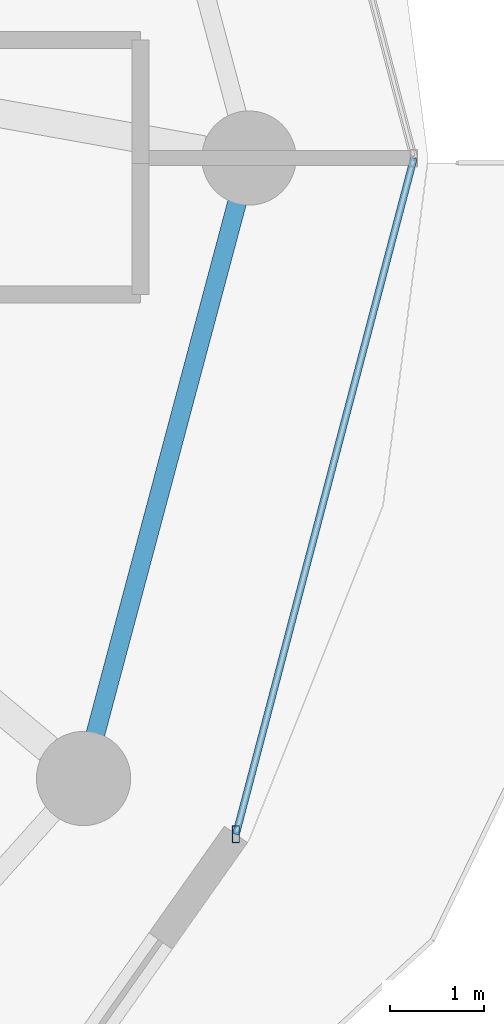
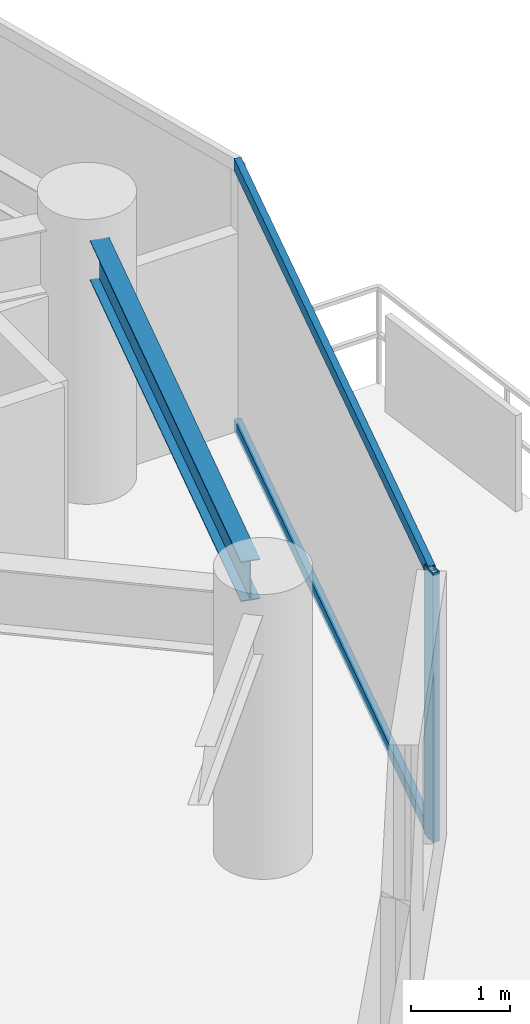
# One storey, part 14 of 31: 3 members, 1 beam, 1 element without a shape of its own.
"""IFC4 building model written with IfcOpenShell, lengths in metres."""

from ifc_helpers import new_model, si_unit, direction, frame, origin, origin_2d, place, context, subcontext, project, spatial, hollow_rectangle, i_section, extrude, material, material_profile, profile_set, type_object, element, aggregate, save


model = new_model("IFC4")

# Units and contexts
model_context = context("Model", 3, precision=1e-05, world=origin(), true_north=direction((0.0, 1.0)))
body_context = subcontext(model_context, "Body", "Model", "MODEL_VIEW")
ifc_project = project(units=[si_unit("LENGTHUNIT", "METRE"), si_unit("AREAUNIT", "SQUARE_METRE"), si_unit("VOLUMEUNIT", "CUBIC_METRE"), si_unit("PLANEANGLEUNIT", "RADIAN"), si_unit("MASSUNIT", "GRAM", prefix="KILO")], contexts=[model_context])

# Site, building, storey
site_placement = place(None, origin())
site = spatial("IfcSite", under=ifc_project, at=site_placement, CompositionType="ELEMENT")
building_placement = place(site_placement, origin())
building = spatial("IfcBuilding", under=site, at=building_placement, Name="Vorneva Point Tower", CompositionType="ELEMENT")
storey_placement = place(building_placement, frame((0.0, 0.0, 132.60009765625)))
storey = spatial("IfcBuildingStorey", under=building, at=storey_placement, Name="L35", CompositionType="ELEMENT", Elevation=132.60009765625)

# Beam
ifc_material_1 = material(Name="Steel S355", Category="steel")
ifc_material_profile_1 = material_profile(ifc_material_1, i_section(OverallWidth=0.199951171875, OverallDepth=0.491943359375, WebThickness=0.0087890625, FlangeThickness=0.011962890625, at=origin_2d()), Name="50B1")
ifc_profile_set_1 = profile_set([ifc_material_profile_1], Name="Steel S355")
beam_type = type_object("IfcBeamType", Name="BM-SPN-50B1", PredefinedType="SPANDREL", material=ifc_profile_set_1)
beam_placement = place(storey_placement, frame((59.42041015625, 19.886474609375, 2.993896484375), z_axis=(0.257550804648, 0.966264758245, 0.0), x_axis=(-0.966264758245, 0.257550804648, 0.0)))
element("IfcBeam", 1, at=beam_placement, inside=storey, type_object=beam_type, Name="L35 Perimeter Spandrel Ring Beam 16", PredefinedType="SPANDREL", context=body_context, shape_type="SweptSolid", body=[
    extrude(i_section(OverallWidth=0.199951171875, OverallDepth=0.491943359375, WebThickness=0.0087890625, FlangeThickness=0.011962890625, at=origin_2d()), origin(), (0.0, 0.0, 1.0), 5.842041015625),
])

# Curtain wall, members
ifc_material_2 = material(Name="Pale anodised aluminium", Category="aluminium")
curtain_wall_type = type_object("IfcCurtainWallType", Name="CW-RES-SYS", PredefinedType="NOTDEFINED", material=ifc_material_2)
curtain_wall_placement = place(storey_placement, origin())
curtain_wall = element("IfcCurtainWall", 2, at=curtain_wall_placement, inside=storey, type_object=curtain_wall_type, Name="L35 Unitised Curtain Wall CW-L35-R01", PredefinedType="NOTDEFINED")
ifc_material_profile_2 = material_profile(ifc_material_2, hollow_rectangle(XDim=0.074951171875, YDim=0.179931640625, WallThickness=0.00390625, at=origin_2d()), Name="AL-MUL 180x75x4")
ifc_profile_set_2 = profile_set([ifc_material_profile_2], Name="Pale anodised aluminium")
member_type_1 = type_object("IfcMemberType", Name="CW-MUL-180", PredefinedType="MULLION", material=ifc_profile_set_2)
member_1_placement = place(storey_placement, frame((60.912109375, 18.82470703125, -0.0400390625), z_axis=(0.0, 0.0, 1.0), x_axis=(1.0, 0.0, 0.0)))
member_1 = element("IfcMember", 3, at=member_1_placement, type_object=member_type_1, Name="CW-L35-R01 Mullion 01", PredefinedType="MULLION", context=body_context, shape_type="SweptSolid", body=[
    extrude(hollow_rectangle(XDim=0.074951171875, YDim=0.179931640625, WallThickness=0.00390625, at=origin_2d()), origin(), (0.0, 0.0, 1.0), 3.31005859375),
])
ifc_material_profile_3 = material_profile(ifc_material_2, hollow_rectangle(XDim=0.074951171875, YDim=0.14990234375, WallThickness=0.00390625, at=origin_2d()), Name="AL-TRN 150x75x4")
ifc_profile_set_3 = profile_set([ifc_material_profile_3], Name="Pale anodised aluminium")
member_type_2 = type_object("IfcMemberType", Name="CW-TRN-150", PredefinedType="USERDEFINED", material=ifc_profile_set_3)
member_2_placement = place(storey_placement, frame((60.912109375, 18.82470703125, 0.02001953125), z_axis=(0.254456046293, 0.967084339913, 0.0), x_axis=(-0.967084339913, 0.254456046293, 0.0)))
member_2 = element("IfcMember", 4, at=member_2_placement, type_object=member_type_2, Name="CW-L35-R01 Transom 01.1", ObjectType="TRANSOM", PredefinedType="USERDEFINED", context=body_context, shape_type="SweptSolid", body=[
    extrude(hollow_rectangle(XDim=0.074951171875, YDim=0.14990234375, WallThickness=0.00390625, at=origin_2d()), origin(), (0.0, 0.0, 1.0), 7.41943359375),
])
member_3_placement = place(storey_placement, frame((60.912109375, 18.82470703125, 3.219970703125), z_axis=(0.254456046293, 0.967084339913, 0.0), x_axis=(-0.967084339913, 0.254456046293, 0.0)))
member_3 = element("IfcMember", 5, at=member_3_placement, type_object=member_type_2, Name="CW-L35-R01 Transom 01.2", ObjectType="TRANSOM", PredefinedType="USERDEFINED", context=body_context, shape_type="SweptSolid", body=[
    extrude(hollow_rectangle(XDim=0.074951171875, YDim=0.14990234375, WallThickness=0.00390625, at=origin_2d()), origin(), (0.0, 0.0, 1.0), 7.41943359375),
])
aggregate(curtain_wall, [member_1, member_2, member_3])

save(model, "model.ifc")
